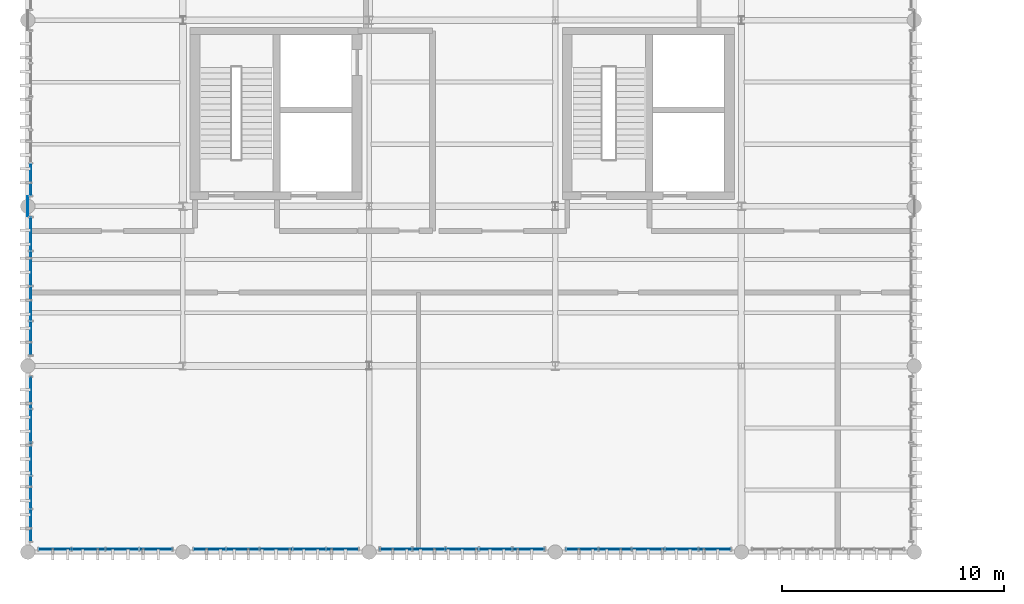
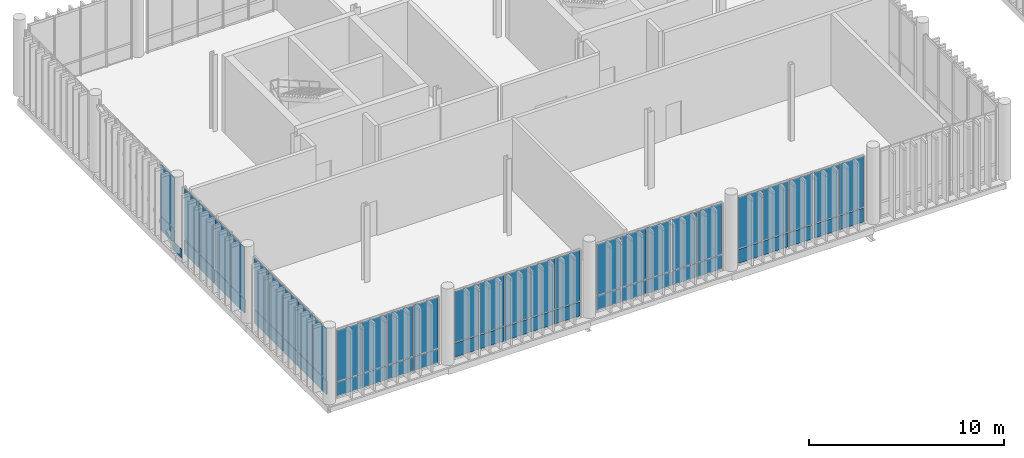
# One storey, part 61 of 86: 59 plates, 7 elements without a shape of their own.
"""IFC4 building model written with IfcOpenShell, lengths in metres."""

import ifcopenshell
import ifcopenshell.guid

model = None  # the IFC model being written
_history = None  # IfcOwnerHistory: only IFC2X3 demands one
_inside = {}  # id of a spatial element -> (the spatial element, [elements in it])
_under = {}  # id of a project, library or spatial element -> (it, [spatial elements below it])
_declared = {}  # id of a project -> (the project, [libraries it declares])
_typed = {}  # id of a type object -> (the type object, [elements of that type])
_made_of = {}  # id of a material, layer set ... -> (it, [elements and type objects made of it])


def new_model(schema):
    """Start an empty IFC model of exactly this schema.

    Asked for "IFC4X3", IfcOpenShell would pick the latest addendum, in which some entities
    have other attributes; the version numbers below select the first issue.
    IFC2X3 requires an IfcOwnerHistory on every rooted entity: one is made here for all.
    """
    global model, _history
    if schema == "IFC4X3":
        model = ifcopenshell.file(schema_version=(4, 3, 0, 0))
    else:
        model = ifcopenshell.file(schema=schema)
    _inside.clear()
    _under.clear()
    _declared.clear()
    _typed.clear()
    _made_of.clear()
    _history = None
    if model.schema == "IFC2X3":
        org = make("IfcOrganization", Name="unknown")
        user = make(
            "IfcPersonAndOrganization",
            ThePerson=make("IfcPerson", FamilyName="unknown"),
            TheOrganization=org,
        )
        app = make(
            "IfcApplication",
            ApplicationDeveloper=org,
            Version="unknown",
            ApplicationFullName="unknown",
            ApplicationIdentifier="unknown",
        )
        _history = make(
            "IfcOwnerHistory",
            OwningUser=user,
            OwningApplication=app,
            ChangeAction="ADDED",
            CreationDate=0,
        )
    return model


def make(cls, **values):
    """One entity of the class cls with the attributes given. An attribute that is None is left unset."""
    return model.create_entity(
        cls, **{name: value for name, value in values.items() if value is not None}
    )


def rooted(cls, **values):
    """An entity with a GlobalId (a new one), such as an element, a storey or a relation."""
    return make(cls, GlobalId=ifcopenshell.guid.new(), OwnerHistory=_history, **values)


def si_unit(unit_type, name, prefix=None):
    """IfcSIUnit, for example si_unit("LENGTHUNIT", "METRE", prefix="MILLI")."""
    return make("IfcSIUnit", UnitType=unit_type, Prefix=prefix, Name=name)


def assignment(units):
    """IfcUnitAssignment: the units of a project."""
    return None if units is None else make("IfcUnitAssignment", Units=units)


def point(xyz):
    """IfcCartesianPoint."""
    return None if xyz is None else make("IfcCartesianPoint", Coordinates=xyz)


def direction(xyz):
    """IfcDirection."""
    return None if xyz is None else make("IfcDirection", DirectionRatios=xyz)


def frame(location, z_axis=None, x_axis=None):
    """IfcAxis2Placement3D, a coordinate frame: its origin and axes. An axis left out is left unset."""
    return make(
        "IfcAxis2Placement3D",
        Location=point(location),
        Axis=direction(z_axis),
        RefDirection=direction(x_axis),
    )


def frame_2d(location, x_axis=None):
    """IfcAxis2Placement2D, a coordinate frame in the plane: its origin and x axis."""
    return make(
        "IfcAxis2Placement2D", Location=point(location), RefDirection=direction(x_axis)
    )


def origin_with_axes():
    """The frame at (0, 0, 0) with the z axis (0, 0, 1) and the x axis (1, 0, 0) written out."""
    return frame((0.0, 0.0, 0.0), z_axis=(0.0, 0.0, 1.0), x_axis=(1.0, 0.0, 0.0))


def origin_2d_with_axis():
    """The frame at (0, 0) in the plane with the x axis (1, 0) written out."""
    return frame_2d((0.0, 0.0), x_axis=(1.0, 0.0))


def place(relative_to, where):
    """IfcLocalPlacement: puts the frame where relative to a parent placement (None: the world)."""
    return make(
        "IfcLocalPlacement", PlacementRelTo=relative_to, RelativePlacement=where
    )


def context(
    kind, dimensions, precision=None, world=None, true_north=None, identifier=None
):
    """IfcGeometricRepresentationContext, for example the 3D "Model" context."""
    return make(
        "IfcGeometricRepresentationContext",
        ContextIdentifier=identifier,
        ContextType=kind,
        CoordinateSpaceDimension=dimensions,
        Precision=precision,
        WorldCoordinateSystem=world,
        TrueNorth=true_north,
    )


def subcontext(parent, identifier, kind, view, scale=None):
    """IfcGeometricRepresentationSubContext, for example "Body" below "Model"."""
    return make(
        "IfcGeometricRepresentationSubContext",
        ContextIdentifier=identifier,
        ContextType=kind,
        ParentContext=parent,
        TargetScale=scale,
        TargetView=view,
    )


def project(units=None, contexts=None):
    """IfcProject with its units and contexts."""
    return rooted(
        "IfcProject",
        Name="project",
        RepresentationContexts=contexts,
        UnitsInContext=assignment(units),
    )


def spatial(cls, under=None, at=None, **own):
    """A site, building, storey or space (cls), placed at a placement, below another one or the project."""
    s = rooted(cls, ObjectPlacement=at, **own)
    if under is not None:
        _under.setdefault(under.id(), (under, []))[1].append(s)
    return s


def profile(cls, at=None, kind="AREA", **sizes):
    """A parametric profile (cls). Its sizes go by their IFC names, for example OverallWidth=200.0."""
    return make(cls, ProfileType=kind, Position=at, **sizes)


def rectangle(**sizes):
    """IfcRectangleProfileDef."""
    return profile("IfcRectangleProfileDef", **sizes)


def extrude(swept, where, along, depth):
    """IfcExtrudedAreaSolid: the profile swept, set in the frame where, extruded along a direction by depth."""
    return make(
        "IfcExtrudedAreaSolid",
        SweptArea=swept,
        Position=where,
        ExtrudedDirection=direction(along),
        Depth=depth,
    )


def shape(context_of_items, identifier, shape_type, items):
    """IfcShapeRepresentation: the items that make up one representation, for example the "Body"."""
    return make(
        "IfcShapeRepresentation",
        ContextOfItems=context_of_items,
        RepresentationIdentifier=identifier,
        RepresentationType=shape_type,
        Items=items,
    )


def material(Name=None, Category=None):
    """IfcMaterial."""
    return make("IfcMaterial", Name=Name, Category=Category)


def layer(
    of_material, thickness, ventilated=None, Name=None, Category=None, Priority=None
):
    """IfcMaterialLayer: one layer of a wall or slab, of a material (None: an air gap)."""
    return make(
        "IfcMaterialLayer",
        Material=of_material,
        LayerThickness=thickness,
        IsVentilated=ventilated,
        Name=Name,
        Category=Category,
        Priority=Priority,
    )


def layer_set(layers, Name=None):
    """IfcMaterialLayerSet."""
    return make("IfcMaterialLayerSet", MaterialLayers=layers, LayerSetName=Name)


def made_of(thing, what):
    """Note that an element or type object is made of a material, layer set ...; save() writes the relation."""
    if what is not None:
        _made_of.setdefault(what.id(), (what, []))[1].append(thing)
    return thing


def type_object(cls, material=None, **own):
    """A type object (cls), such as IfcWallType, which elements share."""
    return made_of(rooted(cls, **own), material)


def element(
    cls,
    number,
    at=None,
    inside=None,
    cuts=None,
    type_object=None,
    material=None,
    context=None,
    identifier="Body",
    shape_type=None,
    held_by="IfcProductDefinitionShape",
    body=None,
    shapes=None,
    **own,
):
    """One element of the class cls, such as IfcWall. Its Tag is "e" and its number.

    at: its placement. inside: the storey or other place that contains it. cuts: it is an
    opening in that element (IfcRelVoidsElement). A single representation is given by context,
    identifier, shape_type and body (its items); several are given by shapes. held_by: the class
    of the entity that holds the representations. save() writes the other relations.
    """
    e = rooted(cls, Tag="e%d" % number, ObjectPlacement=at, **own)
    if body is not None:
        shapes = [shape(context, identifier, shape_type, body)]
    if shapes is not None:
        e.Representation = make(held_by, Representations=shapes)
    if inside is not None:
        _inside.setdefault(inside.id(), (inside, []))[1].append(e)
    if cuts is not None:
        rooted(
            "IfcRelVoidsElement", RelatingBuildingElement=cuts, RelatedOpeningElement=e
        )
    if type_object is not None:
        _typed.setdefault(type_object.id(), (type_object, []))[1].append(e)
    return made_of(e, material)


def aggregate(whole, parts):
    """IfcRelAggregates: a whole, such as a stair, and the parts it consists of."""
    return rooted("IfcRelAggregates", RelatingObject=whole, RelatedObjects=parts)


def save(model, path):
    """Write the relations noted so far, then the file.

    IfcRelAggregates (storeys below a building ...), IfcRelContainedInSpatialStructure (elements
    in a storey), IfcRelDefinesByType, IfcRelAssociatesMaterial and IfcRelDeclares: one each for
    every whole, place, type object, material and project.
    """
    for whole, parts in _under.values():
        aggregate(whole, parts)
    for where, things in _inside.values():
        rooted(
            "IfcRelContainedInSpatialStructure",
            RelatedElements=things,
            RelatingStructure=where,
        )
    for kind, things in _typed.values():
        rooted("IfcRelDefinesByType", RelatedObjects=things, RelatingType=kind)
    for what, things in _made_of.values():
        rooted("IfcRelAssociatesMaterial", RelatedObjects=things, RelatingMaterial=what)
    for by, libraries in _declared.values():
        rooted("IfcRelDeclares", RelatingContext=by, RelatedDefinitions=libraries)
    model.write(path)


model = new_model("IFC4")

# Units and contexts
model_context = context("Model", 3, precision=1e-05, world=origin_with_axes(), true_north=direction((0.0, 1.0)))
body_context = subcontext(model_context, "Body", "Model", "MODEL_VIEW")
ifc_project = project(units=[si_unit("LENGTHUNIT", "METRE"), si_unit("AREAUNIT", "SQUARE_METRE"), si_unit("VOLUMEUNIT", "CUBIC_METRE"), si_unit("PLANEANGLEUNIT", "RADIAN"), si_unit("MASSUNIT", "GRAM", prefix="KILO"), si_unit("THERMODYNAMICTEMPERATUREUNIT", "KELVIN")], contexts=[model_context])

# Site, building, storey
site_placement = place(None, origin_with_axes())
site = spatial("IfcSite", under=ifc_project, at=site_placement, CompositionType="ELEMENT")
building_placement = place(site_placement, origin_with_axes())
building = spatial("IfcBuilding", under=site, at=building_placement, Name="Montbau Bow Law Courts", CompositionType="ELEMENT")
storey_placement = place(building_placement, frame((0.0, 0.0, 29.7), z_axis=(0.0, 0.0, 1.0), x_axis=(1.0, 0.0, 0.0)))
storey = spatial("IfcBuildingStorey", under=building, at=storey_placement, Name="L06", CompositionType="ELEMENT", Elevation=29.7)

# Curtain wall, plates
ifc_material_1 = material(Name="Thermally Broken Extruded Aluminium AA 6063-T6", Category="aluminium")
curtain_wall_type = type_object("IfcCurtainWallType", Name="CW-TRC-02", PredefinedType="NOTDEFINED", material=ifc_material_1)
curtain_wall_1_placement = place(None, frame((7.24, 30.74, 29.7), z_axis=(0.0, 0.0, 1.0), x_axis=(1.0, 0.0, 0.0)))
curtain_wall_1 = element("IfcCurtainWall", 1, at=curtain_wall_1_placement, inside=storey, type_object=curtain_wall_type, Name="CW-L06-094:cw_0094", PredefinedType="NOTDEFINED")
ifc_material_2 = material(Name="Triple-Glazed Low-E Argon Insulating Glass Unit", Category="glass")
ifc_layer_1 = layer(ifc_material_2, 0.044, Name="Curtain Panel", Category="glass")
ifc_layer_set_1 = layer_set([ifc_layer_1], Name="Triple-Glazed Low-E Argon Insulating Glass Unit")
plate_type_1 = type_object("IfcPlateType", Name="PL-CWP-01", PredefinedType="CURTAIN_PANEL", material=ifc_layer_set_1)
plate_1_placement = place(None, frame((7.308, 30.74, 30.682), z_axis=(0.0, -1.0, 0.0), x_axis=(1.0, 0.0, 0.0)))
plate_1 = element("IfcPlate", 2, at=plate_1_placement, type_object=plate_type_1, Name="CW-L06-094-P01-2:cw_0094_P01_2", PredefinedType="CURTAIN_PANEL", context=body_context, shape_type="SweptSolid", body=[
    extrude(rectangle(XDim=1.428, YDim=3.176, at=frame_2d((0.714, 1.588), x_axis=(1.0, 0.0))), frame((0.0, 0.0, -0.022), z_axis=(0.0, 0.0, 1.0), x_axis=(1.0, 0.0, 0.0)), (0.0, 0.0, 1.0), 0.044),
])
plate_2_placement = place(None, frame((8.805, 30.74, 30.682), z_axis=(0.0, -1.0, 0.0), x_axis=(1.0, 0.0, 0.0)))
plate_2 = element("IfcPlate", 3, at=plate_2_placement, type_object=plate_type_1, Name="CW-L06-094-P02-2:cw_0094_P02_2", PredefinedType="CURTAIN_PANEL", context=body_context, shape_type="SweptSolid", body=[
    extrude(rectangle(XDim=1.461, YDim=3.176, at=frame_2d((0.7305, 1.588), x_axis=(1.0, 0.0))), frame((0.0, 0.0, -0.022), z_axis=(0.0, 0.0, 1.0), x_axis=(1.0, 0.0, 0.0)), (0.0, 0.0, 1.0), 0.044),
])
plate_3_placement = place(None, frame((10.335, 30.74, 30.682), z_axis=(0.0, -1.0, 0.0), x_axis=(1.0, 0.0, 0.0)))
plate_3 = element("IfcPlate", 4, at=plate_3_placement, type_object=plate_type_1, Name="CW-L06-094-P03-2:cw_0094_P03_2", PredefinedType="CURTAIN_PANEL", context=body_context, shape_type="SweptSolid", body=[
    extrude(rectangle(XDim=1.461, YDim=3.176, at=frame_2d((0.7305, 1.588), x_axis=(1.0, 0.0))), frame((0.0, 0.0, -0.022), z_axis=(0.0, 0.0, 1.0), x_axis=(1.0, 0.0, 0.0)), (0.0, 0.0, 1.0), 0.044),
])
plate_4_placement = place(None, frame((11.864, 30.74, 30.682), z_axis=(0.0, -1.0, 0.0), x_axis=(1.0, 0.0, 0.0)))
plate_4 = element("IfcPlate", 5, at=plate_4_placement, type_object=plate_type_1, Name="CW-L06-094-P04-2:cw_0094_P04_2", PredefinedType="CURTAIN_PANEL", context=body_context, shape_type="SweptSolid", body=[
    extrude(rectangle(XDim=1.429, YDim=3.176, at=frame_2d((0.7145, 1.588), x_axis=(1.0, 0.0))), frame((0.0, 0.0, -0.022), z_axis=(0.0, 0.0, 1.0), x_axis=(1.0, 0.0, 0.0)), (0.0, 0.0, 1.0), 0.044),
])

curtain_wall_2_placement = place(None, frame((14.24, 30.74, 29.7), z_axis=(0.0, 0.0, 1.0), x_axis=(1.0, 0.0, 0.0)))
curtain_wall_2 = element("IfcCurtainWall", 6, at=curtain_wall_2_placement, inside=storey, type_object=curtain_wall_type, Name="CW-L06-095:cw_0095", PredefinedType="NOTDEFINED")
plate_5_placement = place(None, frame((14.302, 30.74, 30.679), z_axis=(0.0, -1.0, 0.0), x_axis=(1.0, 0.0, 0.0)))
plate_5 = element("IfcPlate", 7, at=plate_5_placement, type_object=plate_type_1, Name="CW-L06-095-P01-2:cw_0095_P01_2", PredefinedType="CURTAIN_PANEL", context=body_context, shape_type="SweptSolid", body=[
    extrude(rectangle(XDim=1.41, YDim=3.183, at=frame_2d((0.705, 1.5915), x_axis=(1.0, 0.0))), frame((0.0, 0.0, -0.022), z_axis=(0.0, 0.0, 1.0), x_axis=(1.0, 0.0, 0.0)), (0.0, 0.0, 1.0), 0.044),
])
plate_6_placement = place(None, frame((15.776, 30.74, 30.679), z_axis=(0.0, -1.0, 0.0), x_axis=(1.0, 0.0, 0.0)))
plate_6 = element("IfcPlate", 8, at=plate_6_placement, type_object=plate_type_1, Name="CW-L06-095-P02-2:cw_0095_P02_2", PredefinedType="CURTAIN_PANEL", context=body_context, shape_type="SweptSolid", body=[
    extrude(rectangle(XDim=1.44, YDim=3.183, at=frame_2d((0.72, 1.5915), x_axis=(1.0, 0.0))), frame((0.0, 0.0, -0.022), z_axis=(0.0, 0.0, 1.0), x_axis=(1.0, 0.0, 0.0)), (0.0, 0.0, 1.0), 0.044),
])
plate_7_placement = place(None, frame((17.28, 30.74, 30.679), z_axis=(0.0, -1.0, 0.0), x_axis=(1.0, 0.0, 0.0)))
plate_7 = element("IfcPlate", 9, at=plate_7_placement, type_object=plate_type_1, Name="CW-L06-095-P03-2:cw_0095_P03_2", PredefinedType="CURTAIN_PANEL", context=body_context, shape_type="SweptSolid", body=[
    extrude(rectangle(XDim=1.44, YDim=3.183, at=frame_2d((0.72, 1.5915), x_axis=(1.0, 0.0))), frame((0.0, 0.0, -0.022), z_axis=(0.0, 0.0, 1.0), x_axis=(1.0, 0.0, 0.0)), (0.0, 0.0, 1.0), 0.044),
])
plate_8_placement = place(None, frame((18.784, 30.74, 30.679), z_axis=(0.0, -1.0, 0.0), x_axis=(1.0, 0.0, 0.0)))
plate_8 = element("IfcPlate", 10, at=plate_8_placement, type_object=plate_type_1, Name="CW-L06-095-P04-2:cw_0095_P04_2", PredefinedType="CURTAIN_PANEL", context=body_context, shape_type="SweptSolid", body=[
    extrude(rectangle(XDim=1.44, YDim=3.183, at=frame_2d((0.72, 1.5915), x_axis=(1.0, 0.0))), frame((0.0, 0.0, -0.022), z_axis=(0.0, 0.0, 1.0), x_axis=(1.0, 0.0, 0.0)), (0.0, 0.0, 1.0), 0.044),
])
plate_9_placement = place(None, frame((20.288, 30.74, 30.679), z_axis=(0.0, -1.0, 0.0), x_axis=(1.0, 0.0, 0.0)))
plate_9 = element("IfcPlate", 11, at=plate_9_placement, type_object=plate_type_1, Name="CW-L06-095-P05-2:cw_0095_P05_2", PredefinedType="CURTAIN_PANEL", context=body_context, shape_type="SweptSolid", body=[
    extrude(rectangle(XDim=1.41, YDim=3.183, at=frame_2d((0.705, 1.5915), x_axis=(1.0, 0.0))), frame((0.0, 0.0, -0.022), z_axis=(0.0, 0.0, 1.0), x_axis=(1.0, 0.0, 0.0)), (0.0, 0.0, 1.0), 0.044),
])

curtain_wall_3_placement = place(None, frame((22.64, 30.74, 29.7), z_axis=(0.0, 0.0, 1.0), x_axis=(1.0, 0.0, 0.0)))
curtain_wall_3 = element("IfcCurtainWall", 12, at=curtain_wall_3_placement, inside=storey, type_object=curtain_wall_type, Name="CW-L06-096:cw_0096", PredefinedType="NOTDEFINED")
plate_10_placement = place(None, frame((22.716, 30.74, 30.682), z_axis=(0.0, -1.0, 0.0), x_axis=(1.0, 0.0, 0.0)))
plate_10 = element("IfcPlate", 13, at=plate_10_placement, type_object=plate_type_1, Name="CW-L06-096-P01-2:cw_0096_P01_2", PredefinedType="CURTAIN_PANEL", context=body_context, shape_type="SweptSolid", body=[
    extrude(rectangle(XDim=1.388, YDim=3.176, at=frame_2d((0.694, 1.588), x_axis=(1.0, 0.0))), frame((0.0, 0.0, -0.022), z_axis=(0.0, 0.0, 1.0), x_axis=(1.0, 0.0, 0.0)), (0.0, 0.0, 1.0), 0.044),
])
plate_11_placement = place(None, frame((24.184, 30.74, 30.682), z_axis=(0.0, -1.0, 0.0), x_axis=(1.0, 0.0, 0.0)))
plate_11 = element("IfcPlate", 14, at=plate_11_placement, type_object=plate_type_1, Name="CW-L06-096-P02-2:cw_0096_P02_2", PredefinedType="CURTAIN_PANEL", context=body_context, shape_type="SweptSolid", body=[
    extrude(rectangle(XDim=1.425, YDim=3.176, at=frame_2d((0.7125, 1.588), x_axis=(1.0, 0.0))), frame((0.0, 0.0, -0.022), z_axis=(0.0, 0.0, 1.0), x_axis=(1.0, 0.0, 0.0)), (0.0, 0.0, 1.0), 0.044),
])
plate_12_placement = place(None, frame((25.687, 30.74, 30.682), z_axis=(0.0, -1.0, 0.0), x_axis=(1.0, 0.0, 0.0)))
plate_12 = element("IfcPlate", 15, at=plate_12_placement, type_object=plate_type_1, Name="CW-L06-096-P03-2:cw_0096_P03_2", PredefinedType="CURTAIN_PANEL", context=body_context, shape_type="SweptSolid", body=[
    extrude(rectangle(XDim=1.426, YDim=3.176, at=frame_2d((0.713, 1.588), x_axis=(1.0, 0.0))), frame((0.0, 0.0, -0.022), z_axis=(0.0, 0.0, 1.0), x_axis=(1.0, 0.0, 0.0)), (0.0, 0.0, 1.0), 0.044),
])
plate_13_placement = place(None, frame((27.191, 30.74, 30.682), z_axis=(0.0, -1.0, 0.0), x_axis=(1.0, 0.0, 0.0)))
plate_13 = element("IfcPlate", 16, at=plate_13_placement, type_object=plate_type_1, Name="CW-L06-096-P04-2:cw_0096_P04_2", PredefinedType="CURTAIN_PANEL", context=body_context, shape_type="SweptSolid", body=[
    extrude(rectangle(XDim=1.426, YDim=3.176, at=frame_2d((0.713, 1.588), x_axis=(1.0, 0.0))), frame((0.0, 0.0, -0.022), z_axis=(0.0, 0.0, 1.0), x_axis=(1.0, 0.0, 0.0)), (0.0, 0.0, 1.0), 0.044),
])
plate_14_placement = place(None, frame((28.695, 30.74, 30.682), z_axis=(0.0, -1.0, 0.0), x_axis=(1.0, 0.0, 0.0)))
plate_14 = element("IfcPlate", 17, at=plate_14_placement, type_object=plate_type_1, Name="CW-L06-096-P05-2:cw_0096_P05_2", PredefinedType="CURTAIN_PANEL", context=body_context, shape_type="SweptSolid", body=[
    extrude(rectangle(XDim=1.388, YDim=3.176, at=frame_2d((0.694, 1.588), x_axis=(1.0, 0.0))), frame((0.0, 0.0, -0.022), z_axis=(0.0, 0.0, 1.0), x_axis=(1.0, 0.0, 0.0)), (0.0, 0.0, 1.0), 0.044),
])

curtain_wall_4_placement = place(None, frame((31.04, 30.74, 29.7), z_axis=(0.0, 0.0, 1.0), x_axis=(1.0, 0.0, 0.0)))
curtain_wall_4 = element("IfcCurtainWall", 18, at=curtain_wall_4_placement, inside=storey, type_object=curtain_wall_type, Name="CW-L06-097:cw_0097", PredefinedType="NOTDEFINED")
plate_15_placement = place(None, frame((31.108, 30.74, 30.679), z_axis=(0.0, -1.0, 0.0), x_axis=(1.0, 0.0, 0.0)))
plate_15 = element("IfcPlate", 19, at=plate_15_placement, type_object=plate_type_1, Name="CW-L06-097-P01-2:cw_0097_P01_2", PredefinedType="CURTAIN_PANEL", context=body_context, shape_type="SweptSolid", body=[
    extrude(rectangle(XDim=1.402, YDim=3.183, at=frame_2d((0.701, 1.5915), x_axis=(1.0, 0.0))), frame((0.0, 0.0, -0.022), z_axis=(0.0, 0.0, 1.0), x_axis=(1.0, 0.0, 0.0)), (0.0, 0.0, 1.0), 0.044),
])
plate_16_placement = place(None, frame((32.578, 30.74, 30.679), z_axis=(0.0, -1.0, 0.0), x_axis=(1.0, 0.0, 0.0)))
plate_16 = element("IfcPlate", 20, at=plate_16_placement, type_object=plate_type_1, Name="CW-L06-097-P02-2:cw_0097_P02_2", PredefinedType="CURTAIN_PANEL", context=body_context, shape_type="SweptSolid", body=[
    extrude(rectangle(XDim=1.436, YDim=3.183, at=frame_2d((0.718, 1.5915), x_axis=(1.0, 0.0))), frame((0.0, 0.0, -0.022), z_axis=(0.0, 0.0, 1.0), x_axis=(1.0, 0.0, 0.0)), (0.0, 0.0, 1.0), 0.044),
])
plate_17_placement = place(None, frame((34.082, 30.74, 30.679), z_axis=(0.0, -1.0, 0.0), x_axis=(1.0, 0.0, 0.0)))
plate_17 = element("IfcPlate", 21, at=plate_17_placement, type_object=plate_type_1, Name="CW-L06-097-P03-2:cw_0097_P03_2", PredefinedType="CURTAIN_PANEL", context=body_context, shape_type="SweptSolid", body=[
    extrude(rectangle(XDim=1.436, YDim=3.183, at=frame_2d((0.718, 1.5915), x_axis=(1.0, 0.0))), frame((0.0, 0.0, -0.022), z_axis=(0.0, 0.0, 1.0), x_axis=(1.0, 0.0, 0.0)), (0.0, 0.0, 1.0), 0.044),
])
plate_18_placement = place(None, frame((35.586, 30.74, 30.679), z_axis=(0.0, -1.0, 0.0), x_axis=(1.0, 0.0, 0.0)))
plate_18 = element("IfcPlate", 22, at=plate_18_placement, type_object=plate_type_1, Name="CW-L06-097-P04-2:cw_0097_P04_2", PredefinedType="CURTAIN_PANEL", context=body_context, shape_type="SweptSolid", body=[
    extrude(rectangle(XDim=1.436, YDim=3.183, at=frame_2d((0.718, 1.5915), x_axis=(1.0, 0.0))), frame((0.0, 0.0, -0.022), z_axis=(0.0, 0.0, 1.0), x_axis=(1.0, 0.0, 0.0)), (0.0, 0.0, 1.0), 0.044),
])
plate_19_placement = place(None, frame((37.09, 30.74, 30.679), z_axis=(0.0, -1.0, 0.0), x_axis=(1.0, 0.0, 0.0)))
plate_19 = element("IfcPlate", 23, at=plate_19_placement, type_object=plate_type_1, Name="CW-L06-097-P05-2:cw_0097_P05_2", PredefinedType="CURTAIN_PANEL", context=body_context, shape_type="SweptSolid", body=[
    extrude(rectangle(XDim=1.404, YDim=3.183, at=frame_2d((0.702, 1.5915), x_axis=(1.0, 0.0))), frame((0.0, 0.0, -0.022), z_axis=(0.0, 0.0, 1.0), x_axis=(1.0, 0.0, 0.0)), (0.0, 0.0, 1.0), 0.044),
])

curtain_wall_5_placement = place(None, frame((6.94, 31.04, 29.7), z_axis=(0.0, 0.0, 1.0), x_axis=(1.0, 0.0, 0.0)))
curtain_wall_5 = element("IfcCurtainWall", 24, at=curtain_wall_5_placement, inside=storey, type_object=curtain_wall_type, Name="CW-L06-104:cw_0104", PredefinedType="NOTDEFINED")
plate_20_placement = place(None, frame((6.94, 31.102, 30.682), z_axis=(1.0, 0.0, 0.0), x_axis=(0.0, 1.0, 0.0)))
plate_20 = element("IfcPlate", 25, at=plate_20_placement, type_object=plate_type_1, Name="CW-L06-104-P01-2:cw_0104_P01_2", PredefinedType="CURTAIN_PANEL", context=body_context, shape_type="SweptSolid", body=[
    extrude(rectangle(XDim=1.41, YDim=3.176, at=frame_2d((0.705, 1.588), x_axis=(1.0, 0.0))), frame((0.0, 0.0, -0.022), z_axis=(0.0, 0.0, 1.0), x_axis=(1.0, 0.0, 0.0)), (0.0, 0.0, 1.0), 0.044),
])
plate_21_placement = place(None, frame((6.94, 32.576, 30.682), z_axis=(1.0, 0.0, 0.0), x_axis=(0.0, 1.0, 0.0)))
plate_21 = element("IfcPlate", 26, at=plate_21_placement, type_object=plate_type_1, Name="CW-L06-104-P02-2:cw_0104_P02_2", PredefinedType="CURTAIN_PANEL", context=body_context, shape_type="SweptSolid", body=[
    extrude(rectangle(XDim=1.44, YDim=3.176, at=frame_2d((0.72, 1.588), x_axis=(1.0, 0.0))), frame((0.0, 0.0, -0.022), z_axis=(0.0, 0.0, 1.0), x_axis=(1.0, 0.0, 0.0)), (0.0, 0.0, 1.0), 0.044),
])
plate_22_placement = place(None, frame((6.94, 34.08, 30.682), z_axis=(1.0, 0.0, 0.0), x_axis=(0.0, 1.0, 0.0)))
plate_22 = element("IfcPlate", 27, at=plate_22_placement, type_object=plate_type_1, Name="CW-L06-104-P03-2:cw_0104_P03_2", PredefinedType="CURTAIN_PANEL", context=body_context, shape_type="SweptSolid", body=[
    extrude(rectangle(XDim=1.44, YDim=3.176, at=frame_2d((0.72, 1.588), x_axis=(1.0, 0.0))), frame((0.0, 0.0, -0.022), z_axis=(0.0, 0.0, 1.0), x_axis=(1.0, 0.0, 0.0)), (0.0, 0.0, 1.0), 0.044),
])
plate_23_placement = place(None, frame((6.94, 35.584, 30.682), z_axis=(1.0, 0.0, 0.0), x_axis=(0.0, 1.0, 0.0)))
plate_23 = element("IfcPlate", 28, at=plate_23_placement, type_object=plate_type_1, Name="CW-L06-104-P04-2:cw_0104_P04_2", PredefinedType="CURTAIN_PANEL", context=body_context, shape_type="SweptSolid", body=[
    extrude(rectangle(XDim=1.44, YDim=3.176, at=frame_2d((0.72, 1.588), x_axis=(1.0, 0.0))), frame((0.0, 0.0, -0.022), z_axis=(0.0, 0.0, 1.0), x_axis=(1.0, 0.0, 0.0)), (0.0, 0.0, 1.0), 0.044),
])
plate_24_placement = place(None, frame((6.94, 37.088, 30.682), z_axis=(1.0, 0.0, 0.0), x_axis=(0.0, 1.0, 0.0)))
plate_24 = element("IfcPlate", 29, at=plate_24_placement, type_object=plate_type_1, Name="CW-L06-104-P05-2:cw_0104_P05_2", PredefinedType="CURTAIN_PANEL", context=body_context, shape_type="SweptSolid", body=[
    extrude(rectangle(XDim=1.41, YDim=3.176, at=frame_2d((0.705, 1.588), x_axis=(1.0, 0.0))), frame((0.0, 0.0, -0.022), z_axis=(0.0, 0.0, 1.0), x_axis=(1.0, 0.0, 0.0)), (0.0, 0.0, 1.0), 0.044),
])

curtain_wall_6_placement = place(None, frame((6.94, 39.44, 29.7), z_axis=(0.0, 0.0, 1.0), x_axis=(1.0, 0.0, 0.0)))
curtain_wall_6 = element("IfcCurtainWall", 30, at=curtain_wall_6_placement, inside=storey, type_object=curtain_wall_type, Name="CW-L06-105:cw_0105", PredefinedType="NOTDEFINED")
plate_25_placement = place(None, frame((6.94, 39.516, 30.679), z_axis=(1.0, 0.0, 0.0), x_axis=(0.0, 1.0, 0.0)))
plate_25 = element("IfcPlate", 31, at=plate_25_placement, type_object=plate_type_1, Name="CW-L06-105-P01-2:cw_0105_P01_2", PredefinedType="CURTAIN_PANEL", context=body_context, shape_type="SweptSolid", body=[
    extrude(rectangle(XDim=1.464, YDim=3.183, at=frame_2d((0.732, 1.5915), x_axis=(1.0, 0.0))), frame((0.0, 0.0, -0.022), z_axis=(0.0, 0.0, 1.0), x_axis=(1.0, 0.0, 0.0)), (0.0, 0.0, 1.0), 0.044),
])
plate_26_placement = place(None, frame((6.94, 41.06, 30.679), z_axis=(1.0, 0.0, 0.0), x_axis=(0.0, 1.0, 0.0)))
plate_26 = element("IfcPlate", 32, at=plate_26_placement, type_object=plate_type_1, Name="CW-L06-105-P02-2:cw_0105_P02_2", PredefinedType="CURTAIN_PANEL", context=body_context, shape_type="SweptSolid", body=[
    extrude(rectangle(XDim=1.501, YDim=3.183, at=frame_2d((0.7505, 1.5915), x_axis=(1.0, 0.0))), frame((0.0, 0.0, -0.022), z_axis=(0.0, 0.0, 1.0), x_axis=(1.0, 0.0, 0.0)), (0.0, 0.0, 1.0), 0.044),
])
plate_27_placement = place(None, frame((6.94, 42.64, 30.679), z_axis=(1.0, 0.0, 0.0), x_axis=(0.0, 1.0, 0.0)))
plate_27 = element("IfcPlate", 33, at=plate_27_placement, type_object=plate_type_1, Name="CW-L06-105-P03-2:cw_0105_P03_2", PredefinedType="CURTAIN_PANEL", context=body_context, shape_type="SweptSolid", body=[
    extrude(rectangle(XDim=1.501, YDim=3.183, at=frame_2d((0.7505, 1.5915), x_axis=(1.0, 0.0))), frame((0.0, 0.0, -0.022), z_axis=(0.0, 0.0, 1.0), x_axis=(1.0, 0.0, 0.0)), (0.0, 0.0, 1.0), 0.044),
])
plate_28_placement = place(None, frame((6.94, 44.219, 30.679), z_axis=(1.0, 0.0, 0.0), x_axis=(0.0, 1.0, 0.0)))
plate_28 = element("IfcPlate", 34, at=plate_28_placement, type_object=plate_type_1, Name="CW-L06-105-P04-2:cw_0105_P04_2", PredefinedType="CURTAIN_PANEL", context=body_context, shape_type="SweptSolid", body=[
    extrude(rectangle(XDim=1.465, YDim=3.183, at=frame_2d((0.7325, 1.5915), x_axis=(1.0, 0.0))), frame((0.0, 0.0, -0.022), z_axis=(0.0, 0.0, 1.0), x_axis=(1.0, 0.0, 0.0)), (0.0, 0.0, 1.0), 0.044),
])

# Curtain wall, plate
curtain_wall_7_placement = place(None, frame((6.94, 46.64, 29.7), z_axis=(0.0, 0.0, 1.0), x_axis=(1.0, 0.0, 0.0)))
curtain_wall_7 = element("IfcCurtainWall", 35, at=curtain_wall_7_placement, inside=storey, type_object=curtain_wall_type, Name="CW-L06-106:cw_0106", PredefinedType="NOTDEFINED")
plate_29_placement = place(None, frame((6.94, 46.708, 30.682), z_axis=(1.0, 0.0, 0.0), x_axis=(0.0, 1.0, 0.0)))
plate_29 = element("IfcPlate", 36, at=plate_29_placement, type_object=plate_type_1, Name="CW-L06-106-P01-2:cw_0106_P01_2", PredefinedType="CURTAIN_PANEL", context=body_context, shape_type="SweptSolid", body=[
    extrude(rectangle(XDim=1.402, YDim=3.176, at=frame_2d((0.701, 1.588), x_axis=(1.0, 0.0))), frame((0.0, 0.0, -0.022), z_axis=(0.0, 0.0, 1.0), x_axis=(1.0, 0.0, 0.0)), (0.0, 0.0, 1.0), 0.044),
])

# Plate
ifc_material_3 = material(Name="Insulated Ceramic-Frit Spandrel Glazing Unit", Category="glass")
ifc_layer_2 = layer(ifc_material_3, 0.056, Name="Curtain Panel", Category="glass")
ifc_layer_set_2 = layer_set([ifc_layer_2], Name="Insulated Ceramic-Frit Spandrel Glazing Unit")
plate_type_2 = type_object("IfcPlateType", Name="PL-CWP-02", PredefinedType="CURTAIN_PANEL", material=ifc_layer_set_2)
plate_30_placement = place(None, frame((7.308, 30.74, 29.762), z_axis=(0.0, -1.0, 0.0), x_axis=(1.0, 0.0, 0.0)))
plate_30 = element("IfcPlate", 37, at=plate_30_placement, type_object=plate_type_2, Name="CW-L06-094-P01-1:cw_0094_P01_1", PredefinedType="CURTAIN_PANEL", context=body_context, shape_type="SweptSolid", body=[
    extrude(rectangle(XDim=1.428, YDim=0.856, at=frame_2d((0.714, 0.428), x_axis=(1.0, 0.0))), frame((0.0, 0.0, -0.028), z_axis=(0.0, 0.0, 1.0), x_axis=(1.0, 0.0, 0.0)), (0.0, 0.0, 1.0), 0.056),
])

plate_31_placement = place(None, frame((8.805, 30.74, 29.762), z_axis=(0.0, -1.0, 0.0), x_axis=(1.0, 0.0, 0.0)))
plate_31 = element("IfcPlate", 38, at=plate_31_placement, type_object=plate_type_2, Name="CW-L06-094-P02-1:cw_0094_P02_1", PredefinedType="CURTAIN_PANEL", context=body_context, shape_type="SweptSolid", body=[
    extrude(rectangle(XDim=1.461, YDim=0.856, at=frame_2d((0.7305, 0.428), x_axis=(1.0, 0.0))), frame((0.0, 0.0, -0.028), z_axis=(0.0, 0.0, 1.0), x_axis=(1.0, 0.0, 0.0)), (0.0, 0.0, 1.0), 0.056),
])

plate_32_placement = place(None, frame((10.335, 30.74, 29.762), z_axis=(0.0, -1.0, 0.0), x_axis=(1.0, 0.0, 0.0)))
plate_32 = element("IfcPlate", 39, at=plate_32_placement, type_object=plate_type_2, Name="CW-L06-094-P03-1:cw_0094_P03_1", PredefinedType="CURTAIN_PANEL", context=body_context, shape_type="SweptSolid", body=[
    extrude(rectangle(XDim=1.461, YDim=0.856, at=frame_2d((0.7305, 0.428), x_axis=(1.0, 0.0))), frame((0.0, 0.0, -0.028), z_axis=(0.0, 0.0, 1.0), x_axis=(1.0, 0.0, 0.0)), (0.0, 0.0, 1.0), 0.056),
])

plate_33_placement = place(None, frame((11.864, 30.74, 29.762), z_axis=(0.0, -1.0, 0.0), x_axis=(1.0, 0.0, 0.0)))
plate_33 = element("IfcPlate", 40, at=plate_33_placement, type_object=plate_type_2, Name="CW-L06-094-P04-1:cw_0094_P04_1", PredefinedType="CURTAIN_PANEL", context=body_context, shape_type="SweptSolid", body=[
    extrude(rectangle(XDim=1.429, YDim=0.856, at=frame_2d((0.7145, 0.428), x_axis=(1.0, 0.0))), frame((0.0, 0.0, -0.028), z_axis=(0.0, 0.0, 1.0), x_axis=(1.0, 0.0, 0.0)), (0.0, 0.0, 1.0), 0.056),
])

aggregate(curtain_wall_1, [plate_30, plate_1, plate_31, plate_2, plate_32, plate_3, plate_33, plate_4])

plate_34_placement = place(None, frame((14.302, 30.74, 29.756), z_axis=(0.0, -1.0, 0.0), x_axis=(1.0, 0.0, 0.0)))
plate_34 = element("IfcPlate", 41, at=plate_34_placement, type_object=plate_type_2, Name="CW-L06-095-P01-1:cw_0095_P01_1", PredefinedType="CURTAIN_PANEL", context=body_context, shape_type="SweptSolid", body=[
    extrude(rectangle(XDim=1.41, YDim=0.864, at=frame_2d((0.705, 0.432), x_axis=(1.0, 0.0))), frame((0.0, 0.0, -0.028), z_axis=(0.0, 0.0, 1.0), x_axis=(1.0, 0.0, 0.0)), (0.0, 0.0, 1.0), 0.056),
])

plate_35_placement = place(None, frame((15.776, 30.74, 29.756), z_axis=(0.0, -1.0, 0.0), x_axis=(1.0, 0.0, 0.0)))
plate_35 = element("IfcPlate", 42, at=plate_35_placement, type_object=plate_type_2, Name="CW-L06-095-P02-1:cw_0095_P02_1", PredefinedType="CURTAIN_PANEL", context=body_context, shape_type="SweptSolid", body=[
    extrude(rectangle(XDim=1.44, YDim=0.864, at=frame_2d((0.72, 0.432), x_axis=(1.0, 0.0))), frame((0.0, 0.0, -0.028), z_axis=(0.0, 0.0, 1.0), x_axis=(1.0, 0.0, 0.0)), (0.0, 0.0, 1.0), 0.056),
])

plate_36_placement = place(None, frame((17.28, 30.74, 29.756), z_axis=(0.0, -1.0, 0.0), x_axis=(1.0, 0.0, 0.0)))
plate_36 = element("IfcPlate", 43, at=plate_36_placement, type_object=plate_type_2, Name="CW-L06-095-P03-1:cw_0095_P03_1", PredefinedType="CURTAIN_PANEL", context=body_context, shape_type="SweptSolid", body=[
    extrude(rectangle(XDim=1.44, YDim=0.864, at=frame_2d((0.72, 0.432), x_axis=(1.0, 0.0))), frame((0.0, 0.0, -0.028), z_axis=(0.0, 0.0, 1.0), x_axis=(1.0, 0.0, 0.0)), (0.0, 0.0, 1.0), 0.056),
])

plate_37_placement = place(None, frame((18.784, 30.74, 29.756), z_axis=(0.0, -1.0, 0.0), x_axis=(1.0, 0.0, 0.0)))
plate_37 = element("IfcPlate", 44, at=plate_37_placement, type_object=plate_type_2, Name="CW-L06-095-P04-1:cw_0095_P04_1", PredefinedType="CURTAIN_PANEL", context=body_context, shape_type="SweptSolid", body=[
    extrude(rectangle(XDim=1.44, YDim=0.864, at=frame_2d((0.72, 0.432), x_axis=(1.0, 0.0))), frame((0.0, 0.0, -0.028), z_axis=(0.0, 0.0, 1.0), x_axis=(1.0, 0.0, 0.0)), (0.0, 0.0, 1.0), 0.056),
])

plate_38_placement = place(None, frame((20.288, 30.74, 29.756), z_axis=(0.0, -1.0, 0.0), x_axis=(1.0, 0.0, 0.0)))
plate_38 = element("IfcPlate", 45, at=plate_38_placement, type_object=plate_type_2, Name="CW-L06-095-P05-1:cw_0095_P05_1", PredefinedType="CURTAIN_PANEL", context=body_context, shape_type="SweptSolid", body=[
    extrude(rectangle(XDim=1.41, YDim=0.864, at=frame_2d((0.705, 0.432), x_axis=(1.0, 0.0))), frame((0.0, 0.0, -0.028), z_axis=(0.0, 0.0, 1.0), x_axis=(1.0, 0.0, 0.0)), (0.0, 0.0, 1.0), 0.056),
])

aggregate(curtain_wall_2, [plate_34, plate_5, plate_35, plate_6, plate_36, plate_7, plate_37, plate_8, plate_38, plate_9])

plate_39_placement = place(None, frame((22.716, 30.74, 29.762), z_axis=(0.0, -1.0, 0.0), x_axis=(1.0, 0.0, 0.0)))
plate_39 = element("IfcPlate", 46, at=plate_39_placement, type_object=plate_type_2, Name="CW-L06-096-P01-1:cw_0096_P01_1", PredefinedType="CURTAIN_PANEL", context=body_context, shape_type="SweptSolid", body=[
    extrude(rectangle(XDim=1.388, YDim=0.856, at=frame_2d((0.694, 0.428), x_axis=(1.0, 0.0))), frame((0.0, 0.0, -0.028), z_axis=(0.0, 0.0, 1.0), x_axis=(1.0, 0.0, 0.0)), (0.0, 0.0, 1.0), 0.056),
])

plate_40_placement = place(None, frame((24.184, 30.74, 29.762), z_axis=(0.0, -1.0, 0.0), x_axis=(1.0, 0.0, 0.0)))
plate_40 = element("IfcPlate", 47, at=plate_40_placement, type_object=plate_type_2, Name="CW-L06-096-P02-1:cw_0096_P02_1", PredefinedType="CURTAIN_PANEL", context=body_context, shape_type="SweptSolid", body=[
    extrude(rectangle(XDim=1.425, YDim=0.856, at=frame_2d((0.7125, 0.428), x_axis=(1.0, 0.0))), frame((0.0, 0.0, -0.028), z_axis=(0.0, 0.0, 1.0), x_axis=(1.0, 0.0, 0.0)), (0.0, 0.0, 1.0), 0.056),
])

plate_41_placement = place(None, frame((25.687, 30.74, 29.762), z_axis=(0.0, -1.0, 0.0), x_axis=(1.0, 0.0, 0.0)))
plate_41 = element("IfcPlate", 48, at=plate_41_placement, type_object=plate_type_2, Name="CW-L06-096-P03-1:cw_0096_P03_1", PredefinedType="CURTAIN_PANEL", context=body_context, shape_type="SweptSolid", body=[
    extrude(rectangle(XDim=1.426, YDim=0.856, at=frame_2d((0.713, 0.428), x_axis=(1.0, 0.0))), frame((0.0, 0.0, -0.028), z_axis=(0.0, 0.0, 1.0), x_axis=(1.0, 0.0, 0.0)), (0.0, 0.0, 1.0), 0.056),
])

plate_42_placement = place(None, frame((27.191, 30.74, 29.762), z_axis=(0.0, -1.0, 0.0), x_axis=(1.0, 0.0, 0.0)))
plate_42 = element("IfcPlate", 49, at=plate_42_placement, type_object=plate_type_2, Name="CW-L06-096-P04-1:cw_0096_P04_1", PredefinedType="CURTAIN_PANEL", context=body_context, shape_type="SweptSolid", body=[
    extrude(rectangle(XDim=1.426, YDim=0.856, at=frame_2d((0.713, 0.428), x_axis=(1.0, 0.0))), frame((0.0, 0.0, -0.028), z_axis=(0.0, 0.0, 1.0), x_axis=(1.0, 0.0, 0.0)), (0.0, 0.0, 1.0), 0.056),
])

plate_43_placement = place(None, frame((28.695, 30.74, 29.762), z_axis=(0.0, -1.0, 0.0), x_axis=(1.0, 0.0, 0.0)))
plate_43 = element("IfcPlate", 50, at=plate_43_placement, type_object=plate_type_2, Name="CW-L06-096-P05-1:cw_0096_P05_1", PredefinedType="CURTAIN_PANEL", context=body_context, shape_type="SweptSolid", body=[
    extrude(rectangle(XDim=1.388, YDim=0.856, at=frame_2d((0.694, 0.428), x_axis=(1.0, 0.0))), frame((0.0, 0.0, -0.028), z_axis=(0.0, 0.0, 1.0), x_axis=(1.0, 0.0, 0.0)), (0.0, 0.0, 1.0), 0.056),
])

aggregate(curtain_wall_3, [plate_39, plate_10, plate_40, plate_11, plate_41, plate_12, plate_42, plate_13, plate_43, plate_14])

plate_44_placement = place(None, frame((31.108, 30.74, 29.756), z_axis=(0.0, -1.0, 0.0), x_axis=(1.0, 0.0, 0.0)))
plate_44 = element("IfcPlate", 51, at=plate_44_placement, type_object=plate_type_2, Name="CW-L06-097-P01-1:cw_0097_P01_1", PredefinedType="CURTAIN_PANEL", context=body_context, shape_type="SweptSolid", body=[
    extrude(rectangle(XDim=1.402, YDim=0.864, at=frame_2d((0.701, 0.432), x_axis=(1.0, 0.0))), frame((0.0, 0.0, -0.028), z_axis=(0.0, 0.0, 1.0), x_axis=(1.0, 0.0, 0.0)), (0.0, 0.0, 1.0), 0.056),
])

plate_45_placement = place(None, frame((32.578, 30.74, 29.756), z_axis=(0.0, -1.0, 0.0), x_axis=(1.0, 0.0, 0.0)))
plate_45 = element("IfcPlate", 52, at=plate_45_placement, type_object=plate_type_2, Name="CW-L06-097-P02-1:cw_0097_P02_1", PredefinedType="CURTAIN_PANEL", context=body_context, shape_type="SweptSolid", body=[
    extrude(rectangle(XDim=1.436, YDim=0.864, at=frame_2d((0.718, 0.432), x_axis=(1.0, 0.0))), frame((0.0, 0.0, -0.028), z_axis=(0.0, 0.0, 1.0), x_axis=(1.0, 0.0, 0.0)), (0.0, 0.0, 1.0), 0.056),
])

plate_46_placement = place(None, frame((34.082, 30.74, 29.756), z_axis=(0.0, -1.0, 0.0), x_axis=(1.0, 0.0, 0.0)))
plate_46 = element("IfcPlate", 53, at=plate_46_placement, type_object=plate_type_2, Name="CW-L06-097-P03-1:cw_0097_P03_1", PredefinedType="CURTAIN_PANEL", context=body_context, shape_type="SweptSolid", body=[
    extrude(rectangle(XDim=1.436, YDim=0.864, at=frame_2d((0.718, 0.432), x_axis=(1.0, 0.0))), frame((0.0, 0.0, -0.028), z_axis=(0.0, 0.0, 1.0), x_axis=(1.0, 0.0, 0.0)), (0.0, 0.0, 1.0), 0.056),
])

plate_47_placement = place(None, frame((35.586, 30.74, 29.756), z_axis=(0.0, -1.0, 0.0), x_axis=(1.0, 0.0, 0.0)))
plate_47 = element("IfcPlate", 54, at=plate_47_placement, type_object=plate_type_2, Name="CW-L06-097-P04-1:cw_0097_P04_1", PredefinedType="CURTAIN_PANEL", context=body_context, shape_type="SweptSolid", body=[
    extrude(rectangle(XDim=1.436, YDim=0.864, at=frame_2d((0.718, 0.432), x_axis=(1.0, 0.0))), frame((0.0, 0.0, -0.028), z_axis=(0.0, 0.0, 1.0), x_axis=(1.0, 0.0, 0.0)), (0.0, 0.0, 1.0), 0.056),
])

plate_48_placement = place(None, frame((37.09, 30.74, 29.756), z_axis=(0.0, -1.0, 0.0), x_axis=(1.0, 0.0, 0.0)))
plate_48 = element("IfcPlate", 55, at=plate_48_placement, type_object=plate_type_2, Name="CW-L06-097-P05-1:cw_0097_P05_1", PredefinedType="CURTAIN_PANEL", context=body_context, shape_type="SweptSolid", body=[
    extrude(rectangle(XDim=1.404, YDim=0.864, at=frame_2d((0.702, 0.432), x_axis=(1.0, 0.0))), frame((0.0, 0.0, -0.028), z_axis=(0.0, 0.0, 1.0), x_axis=(1.0, 0.0, 0.0)), (0.0, 0.0, 1.0), 0.056),
])

aggregate(curtain_wall_4, [plate_44, plate_15, plate_45, plate_16, plate_46, plate_17, plate_47, plate_18, plate_48, plate_19])

plate_49_placement = place(None, frame((6.94, 31.102, 29.762), z_axis=(1.0, 0.0, 0.0), x_axis=(0.0, 1.0, 0.0)))
plate_49 = element("IfcPlate", 56, at=plate_49_placement, type_object=plate_type_2, Name="CW-L06-104-P01-1:cw_0104_P01_1", PredefinedType="CURTAIN_PANEL", context=body_context, shape_type="SweptSolid", body=[
    extrude(rectangle(XDim=1.41, YDim=0.856, at=frame_2d((0.705, 0.428), x_axis=(1.0, 0.0))), frame((0.0, 0.0, -0.028), z_axis=(0.0, 0.0, 1.0), x_axis=(1.0, 0.0, 0.0)), (0.0, 0.0, 1.0), 0.056),
])

plate_50_placement = place(None, frame((6.94, 32.576, 29.762), z_axis=(1.0, 0.0, 0.0), x_axis=(0.0, 1.0, 0.0)))
plate_50 = element("IfcPlate", 57, at=plate_50_placement, type_object=plate_type_2, Name="CW-L06-104-P02-1:cw_0104_P02_1", PredefinedType="CURTAIN_PANEL", context=body_context, shape_type="SweptSolid", body=[
    extrude(rectangle(XDim=1.44, YDim=0.856, at=frame_2d((0.72, 0.428), x_axis=(1.0, 0.0))), frame((0.0, 0.0, -0.028), z_axis=(0.0, 0.0, 1.0), x_axis=(1.0, 0.0, 0.0)), (0.0, 0.0, 1.0), 0.056),
])

plate_51_placement = place(None, frame((6.94, 34.08, 29.762), z_axis=(1.0, 0.0, 0.0), x_axis=(0.0, 1.0, 0.0)))
plate_51 = element("IfcPlate", 58, at=plate_51_placement, type_object=plate_type_2, Name="CW-L06-104-P03-1:cw_0104_P03_1", PredefinedType="CURTAIN_PANEL", context=body_context, shape_type="SweptSolid", body=[
    extrude(rectangle(XDim=1.44, YDim=0.856, at=frame_2d((0.72, 0.428), x_axis=(1.0, 0.0))), frame((0.0, 0.0, -0.028), z_axis=(0.0, 0.0, 1.0), x_axis=(1.0, 0.0, 0.0)), (0.0, 0.0, 1.0), 0.056),
])

plate_52_placement = place(None, frame((6.94, 35.584, 29.762), z_axis=(1.0, 0.0, 0.0), x_axis=(0.0, 1.0, 0.0)))
plate_52 = element("IfcPlate", 59, at=plate_52_placement, type_object=plate_type_2, Name="CW-L06-104-P04-1:cw_0104_P04_1", PredefinedType="CURTAIN_PANEL", context=body_context, shape_type="SweptSolid", body=[
    extrude(rectangle(XDim=1.44, YDim=0.856, at=frame_2d((0.72, 0.428), x_axis=(1.0, 0.0))), frame((0.0, 0.0, -0.028), z_axis=(0.0, 0.0, 1.0), x_axis=(1.0, 0.0, 0.0)), (0.0, 0.0, 1.0), 0.056),
])

plate_53_placement = place(None, frame((6.94, 37.088, 29.762), z_axis=(1.0, 0.0, 0.0), x_axis=(0.0, 1.0, 0.0)))
plate_53 = element("IfcPlate", 60, at=plate_53_placement, type_object=plate_type_2, Name="CW-L06-104-P05-1:cw_0104_P05_1", PredefinedType="CURTAIN_PANEL", context=body_context, shape_type="SweptSolid", body=[
    extrude(rectangle(XDim=1.41, YDim=0.856, at=frame_2d((0.705, 0.428), x_axis=(1.0, 0.0))), frame((0.0, 0.0, -0.028), z_axis=(0.0, 0.0, 1.0), x_axis=(1.0, 0.0, 0.0)), (0.0, 0.0, 1.0), 0.056),
])

aggregate(curtain_wall_5, [plate_49, plate_20, plate_50, plate_21, plate_51, plate_22, plate_52, plate_23, plate_53, plate_24])

plate_54_placement = place(None, frame((6.94, 39.516, 29.756), z_axis=(1.0, 0.0, 0.0), x_axis=(0.0, 1.0, 0.0)))
plate_54 = element("IfcPlate", 61, at=plate_54_placement, type_object=plate_type_2, Name="CW-L06-105-P01-1:cw_0105_P01_1", PredefinedType="CURTAIN_PANEL", context=body_context, shape_type="SweptSolid", body=[
    extrude(rectangle(XDim=1.464, YDim=0.864, at=frame_2d((0.732, 0.432), x_axis=(1.0, 0.0))), frame((0.0, 0.0, -0.028), z_axis=(0.0, 0.0, 1.0), x_axis=(1.0, 0.0, 0.0)), (0.0, 0.0, 1.0), 0.056),
])

plate_55_placement = place(None, frame((6.94, 41.06, 29.756), z_axis=(1.0, 0.0, 0.0), x_axis=(0.0, 1.0, 0.0)))
plate_55 = element("IfcPlate", 62, at=plate_55_placement, type_object=plate_type_2, Name="CW-L06-105-P02-1:cw_0105_P02_1", PredefinedType="CURTAIN_PANEL", context=body_context, shape_type="SweptSolid", body=[
    extrude(rectangle(XDim=1.501, YDim=0.864, at=frame_2d((0.7505, 0.432), x_axis=(1.0, 0.0))), frame((0.0, 0.0, -0.028), z_axis=(0.0, 0.0, 1.0), x_axis=(1.0, 0.0, 0.0)), (0.0, 0.0, 1.0), 0.056),
])

plate_56_placement = place(None, frame((6.94, 42.64, 29.756), z_axis=(1.0, 0.0, 0.0), x_axis=(0.0, 1.0, 0.0)))
plate_56 = element("IfcPlate", 63, at=plate_56_placement, type_object=plate_type_2, Name="CW-L06-105-P03-1:cw_0105_P03_1", PredefinedType="CURTAIN_PANEL", context=body_context, shape_type="SweptSolid", body=[
    extrude(rectangle(XDim=1.501, YDim=0.864, at=frame_2d((0.7505, 0.432), x_axis=(1.0, 0.0))), frame((0.0, 0.0, -0.028), z_axis=(0.0, 0.0, 1.0), x_axis=(1.0, 0.0, 0.0)), (0.0, 0.0, 1.0), 0.056),
])

plate_57_placement = place(None, frame((6.94, 44.219, 29.756), z_axis=(1.0, 0.0, 0.0), x_axis=(0.0, 1.0, 0.0)))
plate_57 = element("IfcPlate", 64, at=plate_57_placement, type_object=plate_type_2, Name="CW-L06-105-P04-1:cw_0105_P04_1", PredefinedType="CURTAIN_PANEL", context=body_context, shape_type="SweptSolid", body=[
    extrude(rectangle(XDim=1.465, YDim=0.864, at=frame_2d((0.7325, 0.432), x_axis=(1.0, 0.0))), frame((0.0, 0.0, -0.028), z_axis=(0.0, 0.0, 1.0), x_axis=(1.0, 0.0, 0.0)), (0.0, 0.0, 1.0), 0.056),
])

aggregate(curtain_wall_6, [plate_54, plate_25, plate_55, plate_26, plate_56, plate_27, plate_57, plate_28])

plate_58_placement = place(None, frame((6.94, 46.708, 29.762), z_axis=(1.0, 0.0, 0.0), x_axis=(0.0, 1.0, 0.0)))
plate_58 = element("IfcPlate", 65, at=plate_58_placement, type_object=plate_type_2, Name="CW-L06-106-P01-1:cw_0106_P01_1", PredefinedType="CURTAIN_PANEL", context=body_context, shape_type="SweptSolid", body=[
    extrude(rectangle(XDim=1.402, YDim=0.856, at=frame_2d((0.701, 0.428), x_axis=(1.0, 0.0))), frame((0.0, 0.0, -0.028), z_axis=(0.0, 0.0, 1.0), x_axis=(1.0, 0.0, 0.0)), (0.0, 0.0, 1.0), 0.056),
])

aggregate(curtain_wall_7, [plate_58, plate_29])

ifc_material_4 = material(Name="Steel CSA G40.21 Grade 350WT (350 MPa)", Category="steel")
ifc_layer_3 = layer(ifc_material_4, 0.032, Name="Gusset Plate", Category="steel")
ifc_layer_set_3 = layer_set([ifc_layer_3], Name="Steel CSA G40.21 Grade 350WT (350 MPa)")
plate_type_3 = type_object("IfcPlateType", Name="PL-GUS-01", PredefinedType="USERDEFINED", material=ifc_layer_set_3)
plate_59_placement = place(None, frame((6.8, 46.2, 29.47), z_axis=(0.0, 0.0, 1.0), x_axis=(0.0, 1.0, 0.0)))
element("IfcPlate", 66, at=plate_59_placement, inside=storey, type_object=plate_type_3, Name="BGP-L06-104:plt_0135", ObjectType="GUSSET_PLATE", PredefinedType="USERDEFINED", context=body_context, shape_type="SweptSolid", body=[
    extrude(rectangle(XDim=0.9, YDim=0.032, at=origin_2d_with_axis()), origin_with_axes(), (0.0, 0.0, 1.0), 0.56),
])

save(model, "model.ifc")
